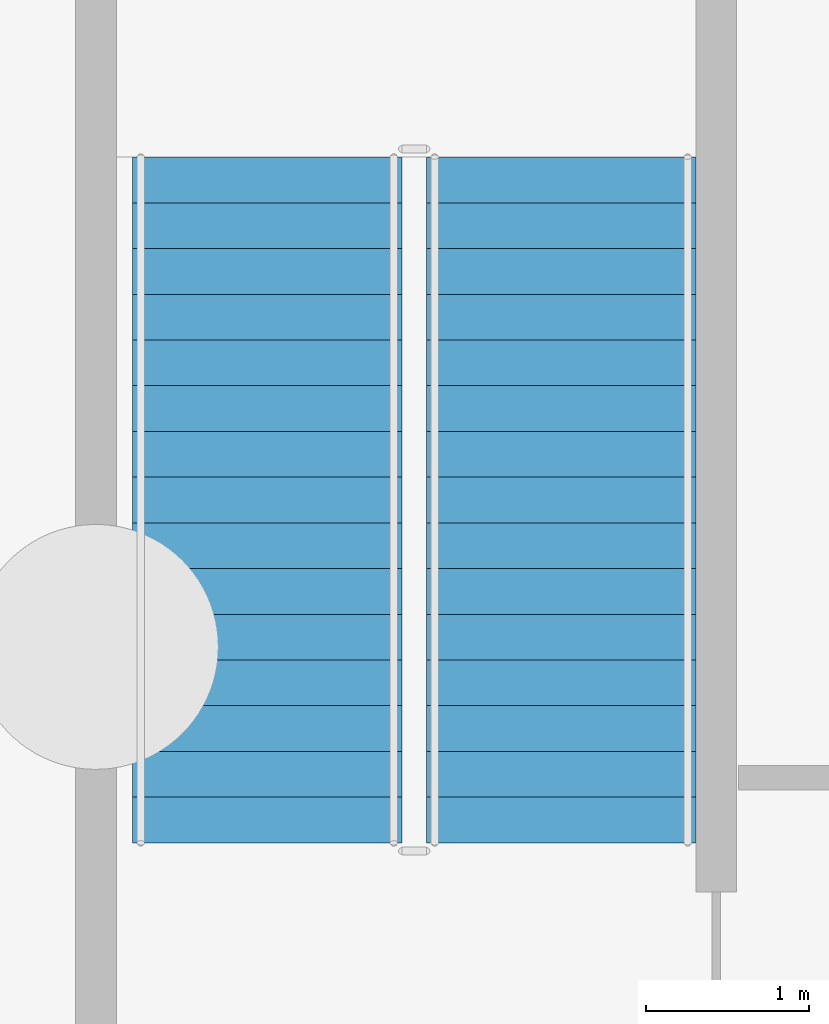
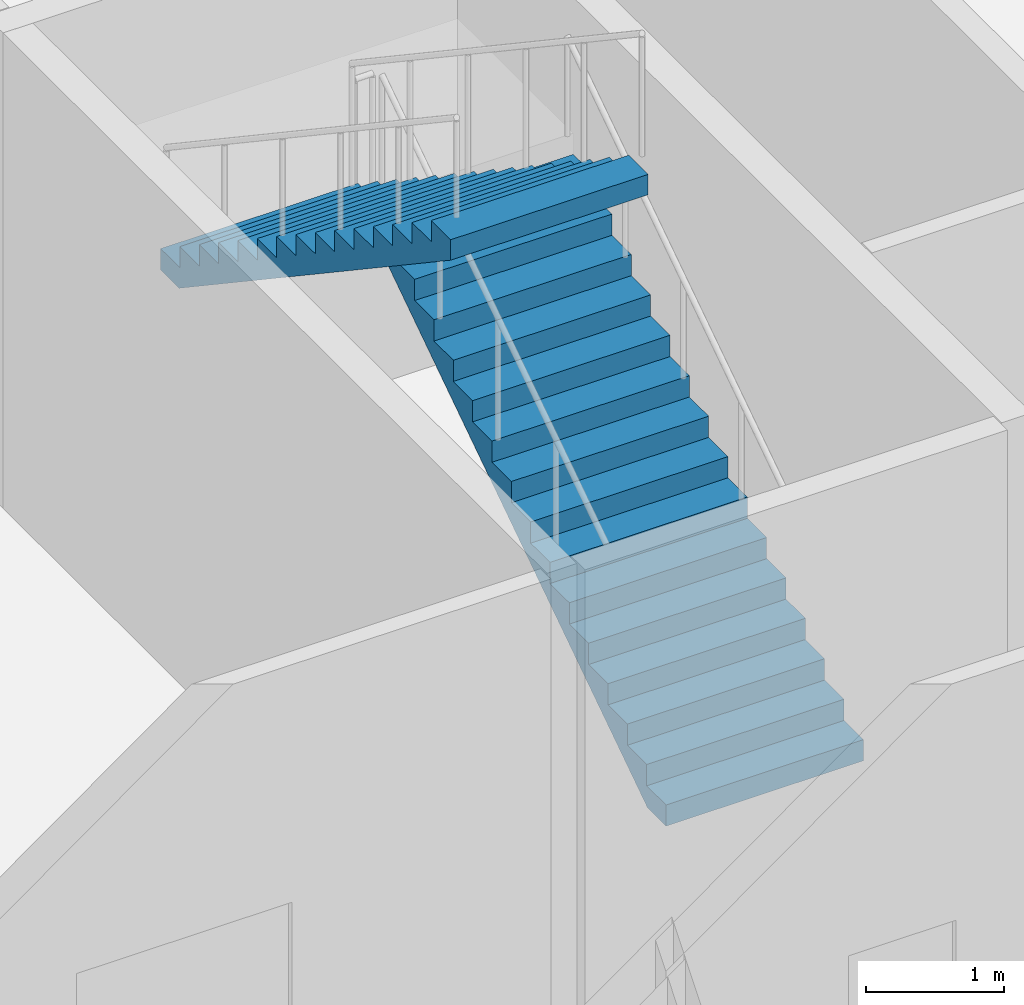
# One storey, part 24 of 27: 2 stair flights, 1 element without a shape of its own.
"""IFC4 building model written with IfcOpenShell, lengths in metres."""

from ifc_helpers import new_model, si_unit, direction, frame, origin, place, context, subcontext, project, spatial, polyline, outline, extrude, material, layer, layer_set, type_object, element, aggregate, save


model = new_model("IFC4")

# Units and contexts
model_context = context("Model", 3, precision=1e-05, world=origin(), true_north=direction((0.0, 1.0)))
body_context = subcontext(model_context, "Body", "Model", "MODEL_VIEW")
ifc_project = project(units=[si_unit("LENGTHUNIT", "METRE"), si_unit("AREAUNIT", "SQUARE_METRE"), si_unit("VOLUMEUNIT", "CUBIC_METRE"), si_unit("PLANEANGLEUNIT", "RADIAN"), si_unit("MASSUNIT", "GRAM", prefix="KILO")], contexts=[model_context])

# Site, building, storey
site_placement = place(None, origin())
site = spatial("IfcSite", under=ifc_project, at=site_placement, CompositionType="ELEMENT")
building_placement = place(site_placement, origin())
building = spatial("IfcBuilding", under=site, at=building_placement, Name="Poui Terraces", CompositionType="ELEMENT")
storey_placement = place(building_placement, origin())
storey = spatial("IfcBuildingStorey", under=building, at=storey_placement, Name="L00", CompositionType="ELEMENT", Elevation=0.0)

# Stair, stair flights
ifc_material = material(Name="Concrete 80 MPa", Category="concrete")
stair_type = type_object("IfcStairType", Name="EXIT STAIR 1650 80 MPA", PredefinedType="HALF_TURN_STAIR", material=ifc_material)
stair_placement = place(storey_placement, origin())
stair = element("IfcStair", 1, at=stair_placement, inside=storey, type_object=stair_type, Name="L00 PODIUM STAIR 2", PredefinedType="HALF_TURN_STAIR")
ifc_layer = layer(ifc_material, 0.14990234375)
ifc_layer_set = layer_set([ifc_layer], Name="Concrete 80 MPa")
stair_flight_type = type_object("IfcStairFlightType", Name="STAIR FLIGHT 16 RISERS 188 RISE 80 MPA", PredefinedType="STRAIGHT", material=ifc_layer_set)
stair_flight_1_placement = place(storey_placement, frame((80.85009765625, 32.39990234375, 0.0), z_axis=(0.0, 0.0, 1.0), x_axis=(0.0, 1.0, 0.0)))
stair_flight_1 = element("IfcStairFlight", 2, at=stair_flight_1_placement, type_object=stair_flight_type, Name="ST-N2 flight 1", NumberOfRisers=16, NumberOfTreads=15, PredefinedType="STRAIGHT", RiserHeight=0.1875, TreadLength=0.28, context=body_context, shape_type="SweptSolid", body=[
    extrude(outline(polyline([(0.0, 0.0), (0.0, 0.1875), (0.280029296875, 0.1875), (0.280029296875, 0.375), (0.56005859375, 0.375), (0.56005859375, 0.5625), (0.840087890625, 0.5625), (0.840087890625, 0.75), (1.1201171875, 0.75), (1.1201171875, 0.9375), (1.39990234375, 0.9375), (1.39990234375, 1.125), (1.679931640625, 1.125), (1.679931640625, 1.3125), (1.9599609375, 1.3125), (1.9599609375, 1.5), (2.239990234375, 1.5), (2.239990234375, 1.6875), (2.52001953125, 1.6875), (2.52001953125, 1.875), (2.800048828125, 1.875), (2.800048828125, 2.0625), (3.080078125, 2.0625), (3.080078125, 2.25), (3.360107421875, 2.25), (3.360107421875, 2.4375), (3.639892578125, 2.4375), (3.639892578125, 2.625), (3.919921875, 2.625), (3.919921875, 2.8125), (4.199951171875, 2.8125), (4.199951171875, 3.0), (4.199951171875, 2.632080078125), (0.26953125, 0.0), (0.0, 0.0)])), frame((0.0, 0.824951171875, 0.0), z_axis=(0.0, -1.0, 0.0), x_axis=(1.0, 0.0, 0.0)), (0.0, 0.0, 1.0), 1.64990234375),
])
stair_flight_2_placement = place(storey_placement, frame((79.050048828125, 36.60009765625, 3.0), z_axis=(0.0, 0.0, 1.0), x_axis=(0.0, -1.0, 0.0)))
stair_flight_2 = element("IfcStairFlight", 3, at=stair_flight_2_placement, type_object=stair_flight_type, Name="ST-N2 flight 2", NumberOfRisers=16, NumberOfTreads=15, PredefinedType="STRAIGHT", RiserHeight=0.1875, TreadLength=0.28, context=body_context, shape_type="SweptSolid", body=[
    extrude(outline(polyline([(0.0, 0.0), (0.0, 0.1875), (0.280029296875, 0.1875), (0.280029296875, 0.375), (0.56005859375, 0.375), (0.56005859375, 0.5625), (0.840087890625, 0.5625), (0.840087890625, 0.75), (1.1201171875, 0.75), (1.1201171875, 0.9375), (1.39990234375, 0.9375), (1.39990234375, 1.125), (1.679931640625, 1.125), (1.679931640625, 1.3125), (1.9599609375, 1.3125), (1.9599609375, 1.5), (2.239990234375, 1.5), (2.239990234375, 1.6875), (2.52001953125, 1.6875), (2.52001953125, 1.875), (2.800048828125, 1.875), (2.800048828125, 2.0625), (3.080078125, 2.0625), (3.080078125, 2.25), (3.360107421875, 2.25), (3.360107421875, 2.4375), (3.639892578125, 2.4375), (3.639892578125, 2.625), (3.919921875, 2.625), (3.919921875, 2.8125), (4.199951171875, 2.8125), (4.199951171875, 3.0), (4.199951171875, 2.632080078125), (0.26953125, 0.0), (0.0, 0.0)])), frame((0.0, 0.824951171875, 0.0), z_axis=(0.0, -1.0, 0.0), x_axis=(1.0, 0.0, 0.0)), (0.0, 0.0, 1.0), 1.64990234375),
])
aggregate(stair, [stair_flight_1, stair_flight_2])

save(model, "model.ifc")
